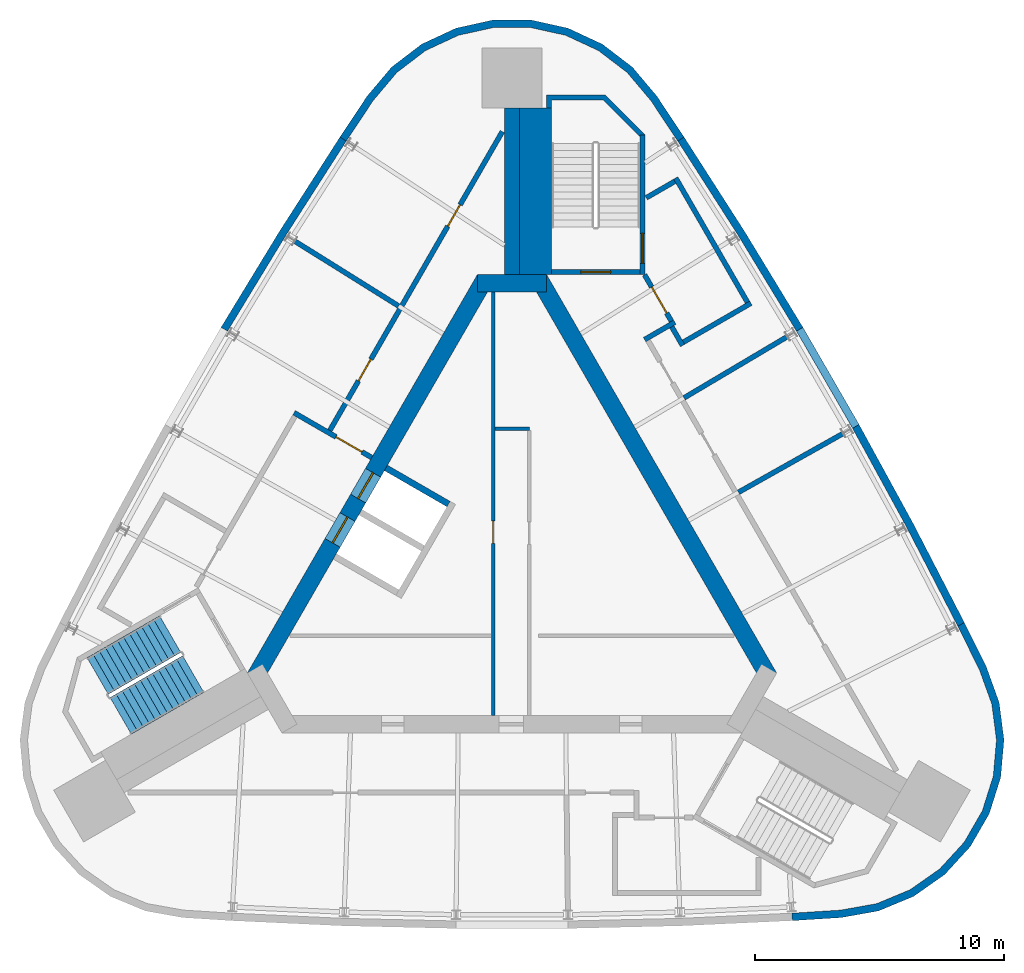
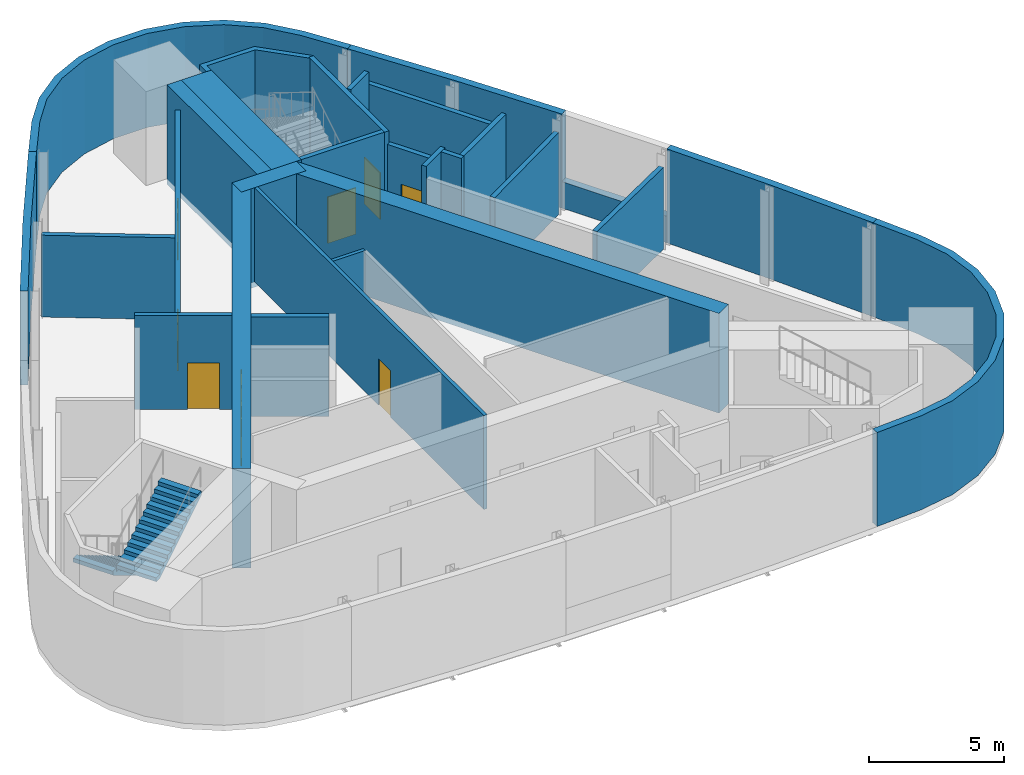
# One storey, part 5 of 7: 28 walls, 9 doors, 2 stair flights, 9 openings, 1 element without a shape of its own.
"""IFC4 building model written with IfcOpenShell, lengths in metres."""

from ifc_helpers import new_model, si_unit, direction, frame, frame_2d, origin, place, context, subcontext, project, spatial, polyline, rectangle, outline, extrude, material, layer, layer_set, type_object, element, fill, aggregate, save


model = new_model("IFC4")

# Units and contexts
model_context = context("Model", 3, precision=1e-05, world=origin(), true_north=direction((0.0, 1.0)))
body_context = subcontext(model_context, "Body", "Model", "MODEL_VIEW")
ifc_project = project(units=[si_unit("LENGTHUNIT", "METRE"), si_unit("AREAUNIT", "SQUARE_METRE"), si_unit("VOLUMEUNIT", "CUBIC_METRE"), si_unit("PLANEANGLEUNIT", "RADIAN"), si_unit("MASSUNIT", "GRAM", prefix="KILO")], contexts=[model_context])

# Site, building, storey
site_placement = place(None, origin())
site = spatial("IfcSite", under=ifc_project, at=site_placement, CompositionType="ELEMENT")
building_placement = place(site_placement, origin())
building = spatial("IfcBuilding", under=site, at=building_placement, Name="Noor Cloister Tower", CompositionType="ELEMENT")
storey_placement = place(building_placement, frame((0.0, 0.0, 302.10009765625)))
storey = spatial("IfcBuildingStorey", under=building, at=storey_placement, Name="L76", CompositionType="ELEMENT", Elevation=302.10009765625)

# Wall
ifc_material_1 = material(Name="Concrete C50/60", Category="concrete")
ifc_layer_1 = layer(ifc_material_1, 0.60009765625)
ifc_layer_set_1 = layer_set([ifc_layer_1], Name="Buttress wall 600 C50/60")
wall_type_1 = type_object("IfcWallType", Name="Buttress wall 600 C50/60", PredefinedType="SHEAR", material=ifc_layer_set_1)
wall_1_placement = place(storey_placement, frame((0.0, 11.456298828125, -0.25), z_axis=(0.0, 0.0, 1.0), x_axis=(0.0, 1.0, 0.0)))
element("IfcWall", 1, at=wall_1_placement, inside=storey, type_object=wall_type_1, Name="Buttress wall N L76", PredefinedType="SHEAR", context=body_context, shape_type="SweptSolid", body=[
    extrude(rectangle(XDim=6.6787109375, YDim=0.60009765625, at=frame_2d((3.33935546875, 0.0))), origin(), (0.0, 0.0, 1.0), 4.5),
])

# Wall, opening, door
ifc_material_2 = material(Name="Concrete C30/37", Category="concrete")
ifc_layer_2 = layer(ifc_material_2, 0.14990234375)
ifc_layer_set_2 = layer_set([ifc_layer_2], Name="Core partition 150 C30/37")
wall_type_2 = type_object("IfcWallType", Name="Core partition 150 C30/37", PredefinedType="PARTITIONING", material=ifc_layer_set_2)
wall_2_placement = place(storey_placement, frame((-0.753662109375, 10.75634765625, 0.0), z_axis=(0.0, 0.0, 1.0), x_axis=(0.0, -1.0, 0.0)))
wall_2 = element("IfcWall", 2, at=wall_2_placement, inside=storey, type_object=wall_type_2, Name="Core room partition L76 2", PredefinedType="PARTITIONING", context=body_context, shape_type="SweptSolid", body=[
    extrude(rectangle(XDim=16.984619140625, YDim=0.14990234375, at=frame_2d((8.4921875, 0.0))), origin(), (0.0, 0.0, 1.0), 4.25),
])
opening_1_placement = place(wall_2_placement, frame((9.1845703125, 0.0, 0.0)))
opening_1 = element("IfcOpeningElement", 3, at=opening_1_placement, cuts=wall_2, Name="Opening L76-904", PredefinedType="OPENING", context=body_context, shape_type="SweptSolid", body=[
    extrude(rectangle(XDim=0.89990234375, YDim=2.10009765625, at=frame_2d((0.449951171875, 1.050048828125))), frame((0.0, 0.0849609375, 0.0), z_axis=(0.0, -1.0, 0.0), x_axis=(1.0, 0.0, 0.0)), (0.0, 0.0, 1.0), 0.169921875),
])
ifc_material_3 = material(Name="Steel", Category="steel")
door_type_1 = type_object("IfcDoorType", Name="Core door 900 x 2100 FD120", OperationType="SINGLE_SWING_LEFT", PredefinedType="DOOR", material=ifc_material_3)
door_1_placement = place(opening_1_placement, origin())
door_1 = element("IfcDoor", 4, at=door_1_placement, inside=storey, type_object=door_type_1, Name="Core door 4 L76", OperationType="SINGLE_SWING_RIGHT", OverallHeight=2.10009765625, OverallWidth=0.89990234375, PredefinedType="DOOR", context=body_context, shape_type="SweptSolid", body=[
    extrude(rectangle(XDim=0.89990234375, YDim=2.10009765625, at=frame_2d((0.449951171875, 1.050048828125))), frame((0.0, 0.02490234375, 0.0), z_axis=(0.0, -1.0, 0.0), x_axis=(1.0, 0.0, 0.0)), (0.0, 0.0, 1.0), 0.050048828125),
])
fill(opening_1, door_1)

# Walls
wall_3_placement = place(storey_placement, frame((-0.6787109375, 5.271728515625, 0.0), z_axis=(0.0, 0.0, 1.0), x_axis=(1.0, 0.0, 0.0)))
element("IfcWall", 5, at=wall_3_placement, inside=storey, type_object=wall_type_2, Name="Core room partition L76 3", PredefinedType="PARTITIONING", context=body_context, shape_type="SweptSolid", body=[
    extrude(rectangle(XDim=1.375, YDim=0.14990234375, at=frame_2d((0.6875, 0.0))), origin(), (0.0, 0.0, 1.0), 4.25),
])
ifc_material_4 = material(Name="Concrete C50/60", Category="concrete")
ifc_layer_3 = layer(ifc_material_4, 0.699951171875)
ifc_layer_set_3 = layer_set([ifc_layer_3], Name="Core wall 700 C50/60")
wall_type_3 = type_object("IfcWallType", Name="Core wall 700 C50/60", PredefinedType="SHEAR", material=ifc_layer_set_3)
wall_4_placement = place(storey_placement, frame((10.311279296875, -4.703125, -0.25), z_axis=(0.0, 0.0, 1.0), x_axis=(-0.500001446645, 0.866024568562, 0.0)))
element("IfcWall", 6, at=wall_4_placement, inside=storey, type_object=wall_type_3, Name="Core wall L76 3", PredefinedType="SHEAR", context=body_context, shape_type="SweptSolid", body=[
    extrude(rectangle(XDim=18.45751953125, YDim=0.699951171875, at=frame_2d((9.228759765625, 0.0))), origin(), (0.0, 0.0, 1.0), 4.5),
])
wall_5_placement = place(storey_placement, frame((1.3857421875, 11.1064453125, -0.25), z_axis=(0.0, 0.0, 1.0), x_axis=(-1.0, 0.0, 0.0)))
element("IfcWall", 7, at=wall_5_placement, inside=storey, type_object=wall_type_3, Name="Core wall L76 4", PredefinedType="SHEAR", context=body_context, shape_type="SweptSolid", body=[
    extrude(rectangle(XDim=2.771484375, YDim=0.699951171875, at=frame_2d((1.3857421875, 0.0))), origin(), (0.0, 0.0, 1.0), 4.5),
])

# Wall, openings, doors
wall_6_placement = place(storey_placement, frame((-1.08251953125, 11.281494140625, -0.25), z_axis=(0.0, 0.0, 1.0), x_axis=(-0.500001446645, -0.866024568562, 0.0)))
wall_6 = element("IfcWall", 8, at=wall_6_placement, inside=storey, type_object=wall_type_3, Name="Core wall L76 5", PredefinedType="SHEAR", context=body_context, shape_type="SweptSolid", body=[
    extrude(rectangle(XDim=18.45751953125, YDim=0.699951171875, at=frame_2d((9.228759765625, 0.0))), origin(), (0.0, 0.0, 1.0), 4.5),
])
opening_2_placement = place(wall_6_placement, frame((8.978759765625, 0.0, 0.25)))
opening_2 = element("IfcOpeningElement", 9, at=opening_2_placement, cuts=wall_6, Name="Opening L76-FF1", PredefinedType="OPENING", context=body_context, shape_type="SweptSolid", body=[
    extrude(rectangle(XDim=1.199951171875, YDim=2.10009765625, at=frame_2d((0.60009765625, 1.050048828125))), frame((0.0, 0.35986328125, 0.0), z_axis=(0.0, -1.0, 0.0), x_axis=(1.0, 0.0, 0.0)), (0.0, 0.0, 1.0), 0.719970703125),
])
opening_3_placement = place(wall_6_placement, frame((11.02880859375, 0.0, 0.25)))
opening_3 = element("IfcOpeningElement", 10, at=opening_3_placement, cuts=wall_6, Name="Opening L76-FF2", PredefinedType="OPENING", context=body_context, shape_type="SweptSolid", body=[
    extrude(rectangle(XDim=1.199951171875, YDim=2.10009765625, at=frame_2d((0.60009765625, 1.050048828125))), frame((0.0, 0.35986328125, 0.0), z_axis=(0.0, -1.0, 0.0), x_axis=(1.0, 0.0, 0.0)), (0.0, 0.0, 1.0), 0.719970703125),
])
ifc_material_5 = material(Name="Stainless steel", Category="steel")
door_type_2 = type_object("IfcDoorType", Name="Lift landing door 1200 x 2100", OperationType="DOUBLE_DOOR_SLIDING", PredefinedType="DOOR", material=ifc_material_5)
door_2_placement = place(opening_2_placement, origin())
door_2 = element("IfcDoor", 11, at=door_2_placement, inside=storey, type_object=door_type_2, Name="Landing door FF1 L76", OperationType="DOUBLE_DOOR_SLIDING", OverallHeight=2.10009765625, OverallWidth=1.199951171875, PredefinedType="DOOR", context=body_context, shape_type="SweptSolid", body=[
    extrude(rectangle(XDim=1.199951171875, YDim=2.10009765625, at=frame_2d((0.60009765625, 1.050048828125))), frame((0.0, 0.02490234375, 0.0), z_axis=(0.0, -1.0, 0.0), x_axis=(1.0, 0.0, 0.0)), (0.0, 0.0, 1.0), 0.050048828125),
])
fill(opening_2, door_2)
door_3_placement = place(opening_3_placement, origin())
door_3 = element("IfcDoor", 12, at=door_3_placement, inside=storey, type_object=door_type_2, Name="Landing door FF2 L76", OperationType="DOUBLE_DOOR_SLIDING", OverallHeight=2.10009765625, OverallWidth=1.199951171875, PredefinedType="DOOR", context=body_context, shape_type="SweptSolid", body=[
    extrude(rectangle(XDim=1.199951171875, YDim=2.10009765625, at=frame_2d((0.60009765625, 1.050048828125))), frame((0.0, 0.02490234375, 0.0), z_axis=(0.0, -1.0, 0.0), x_axis=(1.0, 0.0, 0.0)), (0.0, 0.0, 1.0), 0.050048828125),
])
fill(opening_3, door_3)

# Walls
ifc_material_6 = material(Name="Limestone", Category="masonry")
ifc_layer_4 = layer(ifc_material_6, 0.300048828125)
ifc_layer_set_4 = layer_set([ifc_layer_4], Name="Limestone cladding 300")
wall_type_4 = type_object("IfcWallType", Name="Limestone cladding 300", PredefinedType="NOTDEFINED", material=ifc_layer_set_4)
wall_7_placement = place(storey_placement, origin())
element("IfcWall", 13, at=wall_7_placement, inside=storey, type_object=wall_type_4, Name="Limestone pier cladding L76 2.1", PredefinedType="NOTDEFINED", context=body_context, shape_type="SweptSolid", body=[
    extrude(outline(polyline([(11.24365234375, -14.46044921875), (13.21142578125, -14.336181640625), (14.707763671875, -14.068603515625), (16.11083984375, -13.484619140625), (17.35498046875, -12.611083984375), (18.381103515625, -11.489990234375), (19.14111328125, -10.173583984375), (19.59912109375, -8.724365234375), (19.7333984375, -7.210205078125), (19.53759765625, -5.702880859375), (19.021240234375, -4.2734375), (18.14501953125, -2.507080078125), (17.876220703125, -2.640380859375), (18.744873046875, -4.391357421875), (19.244384765625, -5.77392578125), (19.431640625, -7.21630859375), (19.30322265625, -8.6650390625), (18.864990234375, -10.052001953125), (18.1376953125, -11.3115234375), (17.15576171875, -12.384521484375), (15.96533203125, -13.22021484375), (14.62255859375, -13.779052734375), (13.175537109375, -14.037841796875), (11.224853515625, -14.1611328125), (11.24365234375, -14.46044921875)])), origin(), (0.0, 0.0, 1.0), 4.25),
])
wall_8_placement = place(storey_placement, origin())
element("IfcWall", 14, at=wall_8_placement, inside=storey, type_object=wall_type_4, Name="Limestone pier cladding L76 3.1", PredefinedType="NOTDEFINED", context=body_context, shape_type="SweptSolid", body=[
    extrude(outline(polyline([(6.9013671875, 16.967529296875), (5.809814453125, 18.609619140625), (4.830078125, 19.771484375), (3.62255859375, 20.69482421875), (2.244140625, 21.33544921875), (0.760009765625, 21.66357421875), (-0.760009765625, 21.66357421875), (-2.244140625, 21.33544921875), (-3.62255859375, 20.69482421875), (-4.830078125, 19.771484375), (-5.809814453125, 18.609619140625), (-6.9013671875, 16.967529296875), (-6.6513671875, 16.801513671875), (-5.5693359375, 18.42919921875), (-4.621826171875, 19.55322265625), (-3.46630859375, 20.4365234375), (-2.1474609375, 21.049560546875), (-0.727294921875, 21.363525390625), (0.727294921875, 21.363525390625), (2.1474609375, 21.049560546875), (3.46630859375, 20.4365234375), (4.621826171875, 19.55322265625), (5.5693359375, 18.42919921875), (6.6513671875, 16.801513671875), (6.9013671875, 16.967529296875)])), origin(), (0.0, 0.0, 1.0), 4.25),
])
ifc_material_7 = material(Name="Limestone", Category="masonry")
ifc_layer_5 = layer(ifc_material_7, 0.300048828125)
ifc_layer_set_5 = layer_set([ifc_layer_5], Name="Limestone panel wall 300")
wall_type_5 = type_object("IfcWallType", Name="Limestone panel wall 300", PredefinedType="NOTDEFINED", material=ifc_layer_set_5)
wall_9_placement = place(storey_placement, origin())
element("IfcWall", 15, at=wall_9_placement, inside=storey, type_object=wall_type_5, Name="Limestone crown wall L76 1a", PredefinedType="NOTDEFINED", context=body_context, shape_type="SweptSolid", body=[
    extrude(outline(polyline([(-6.9013671875, 16.967529296875), (-9.32958984375, 13.178955078125), (-11.669189453125, 9.335205078125), (-11.4130859375, 9.17919921875), (-9.074951171875, 13.02001953125), (-6.648681640625, 16.8056640625), (-6.9013671875, 16.967529296875)])), origin(), (0.0, 0.0, 1.0), 4.25),
])
wall_10_placement = place(storey_placement, origin())
element("IfcWall", 16, at=wall_10_placement, inside=storey, type_object=wall_type_5, Name="Limestone crown wall L76 3a", PredefinedType="NOTDEFINED", context=body_context, shape_type="SweptSolid", body=[
    extrude(outline(polyline([(18.14501953125, -2.507080078125), (16.078125, 1.489990234375), (13.919189453125, 5.438232421875), (13.656005859375, 5.294189453125), (15.813232421875, 1.34912109375), (17.87841796875, -2.644775390625), (18.14501953125, -2.507080078125)])), origin(), (0.0, 0.0, 1.0), 4.25),
])
wall_11_placement = place(storey_placement, origin())
element("IfcWall", 17, at=wall_11_placement, inside=storey, type_object=wall_type_5, Name="Limestone crown wall L76 3b", PredefinedType="NOTDEFINED", context=body_context, shape_type="SweptSolid", body=[
    extrude(outline(polyline([(11.669189453125, 9.335205078125), (9.32958984375, 13.178955078125), (6.9013671875, 16.967529296875), (6.648681640625, 16.8056640625), (9.074951171875, 13.02001953125), (11.4130859375, 9.17919921875), (11.669189453125, 9.335205078125)])), origin(), (0.0, 0.0, 1.0), 4.25),
])
wall_12_placement = place(storey_placement, origin())
element("IfcWall", 18, at=wall_12_placement, inside=storey, type_object=wall_type_5, Name="Limestone crown wall L76 3 lower", PredefinedType="NOTDEFINED", context=body_context, shape_type="SweptSolid", body=[
    extrude(outline(polyline([(13.919189453125, 5.438232421875), (11.669189453125, 9.335205078125), (11.409423828125, 9.185302734375), (13.659423828125, 5.288330078125), (13.919189453125, 5.438232421875)])), origin(), (0.0, 0.0, 1.0), 1.199951171875),
])
ifc_material_8 = material(Name="Concrete C50/60", Category="concrete")
ifc_layer_6 = layer(ifc_material_8, 0.25)
ifc_layer_set_6 = layer_set([ifc_layer_6], Name="Shaft wall 250 C50/60")
wall_type_6 = type_object("IfcWallType", Name="Shaft wall 250 C50/60", PredefinedType="PARTITIONING", material=ifc_layer_set_6)
wall_13_placement = place(storey_placement, frame((-5.056396484375, 3.69873046875, -0.25), z_axis=(0.0, 0.0, 1.0), x_axis=(0.866032775405, -0.499987231761, 0.0)))
element("IfcWall", 19, at=wall_13_placement, inside=storey, type_object=wall_type_6, Name="Lift shaft wall L76 NW 3", PredefinedType="PARTITIONING", context=body_context, shape_type="SweptSolid", body=[
    extrude(rectangle(XDim=2.89990234375, YDim=0.25, at=frame_2d((1.449951171875, 0.0))), origin(), (0.0, 0.0, 1.0), 4.5),
])
ifc_material_9 = material(Name="Concrete C50/60", Category="concrete")
ifc_layer_7 = layer(ifc_material_9, 1.285888671875)
ifc_layer_set_7 = layer_set([ifc_layer_7], Name="Stair enclosure wall 1286 C50/60")
wall_type_7 = type_object("IfcWallType", Name="Stair enclosure wall 1286 C50/60", PredefinedType="SHEAR", material=ifc_layer_set_7)
wall_14_placement = place(storey_placement, frame((0.94287109375, 11.456298828125, -0.25), z_axis=(0.0, 0.0, 1.0), x_axis=(0.0, 1.0, 0.0)))
element("IfcWall", 20, at=wall_14_placement, inside=storey, type_object=wall_type_7, Name="Stair enclosure wall ST1 L76 riser side", PredefinedType="SHEAR", context=body_context, shape_type="SweptSolid", body=[
    extrude(rectangle(XDim=6.6787109375, YDim=1.28564453125, at=frame_2d((3.33935546875, 0.0))), origin(), (0.0, 0.0, 1.0), 4.5),
])

# Wall, opening, door
ifc_material_10 = material(Name="Concrete C50/60", Category="concrete")
ifc_layer_8 = layer(ifc_material_10, 0.199951171875)
ifc_layer_set_8 = layer_set([ifc_layer_8], Name="Stair enclosure wall 200 C50/60")
wall_type_8 = type_object("IfcWallType", Name="Stair enclosure wall 200 C50/60", PredefinedType="SHEAR", material=ifc_layer_set_8)
wall_15_placement = place(storey_placement, frame((5.135498046875, 11.556396484375, -0.25), z_axis=(0.0, 0.0, 1.0), x_axis=(-1.0, 0.0, 0.0)))
wall_15 = element("IfcWall", 21, at=wall_15_placement, inside=storey, type_object=wall_type_8, Name="Stair enclosure wall ST1 L76 near end", PredefinedType="SHEAR", context=body_context, shape_type="SweptSolid", body=[
    extrude(rectangle(XDim=3.5498046875, YDim=0.199951171875, at=frame_2d((1.77490234375, 0.0))), origin(), (0.0, 0.0, 1.0), 4.5),
])
opening_4_placement = place(wall_15_placement, frame((1.175048828125, 0.0, 0.25)))
opening_4 = element("IfcOpeningElement", 22, at=opening_4_placement, cuts=wall_15, Name="Opening L76-ST1L", PredefinedType="OPENING", context=body_context, shape_type="SweptSolid", body=[
    extrude(rectangle(XDim=1.199951171875, YDim=2.10009765625, at=frame_2d((0.60009765625, 1.050048828125))), frame((0.0, 0.10986328125, 0.0), z_axis=(0.0, -1.0, 0.0), x_axis=(1.0, 0.0, 0.0)), (0.0, 0.0, 1.0), 0.219970703125),
])
ifc_material_11 = material(Name="Steel", Category="steel")
door_type_3 = type_object("IfcDoorType", Name="Stair door 1200 x 2100 FD120", OperationType="SINGLE_SWING_LEFT", PredefinedType="DOOR", material=ifc_material_11)
door_4_placement = place(opening_4_placement, origin())
door_4 = element("IfcDoor", 23, at=door_4_placement, inside=storey, type_object=door_type_3, Name="Stair door ST1 L76", OperationType="SINGLE_SWING_RIGHT", OverallHeight=2.10009765625, OverallWidth=1.199951171875, PredefinedType="DOOR", context=body_context, shape_type="SweptSolid", body=[
    extrude(rectangle(XDim=1.199951171875, YDim=2.10009765625, at=frame_2d((0.60009765625, 1.050048828125))), frame((0.0, 0.02490234375, 0.0), z_axis=(0.0, -1.0, 0.0), x_axis=(1.0, 0.0, 0.0)), (0.0, 0.0, 1.0), 0.050048828125),
])
fill(opening_4, door_4)

wall_16_placement = place(storey_placement, frame((5.235595703125, 11.456298828125, -0.25), z_axis=(0.0, 0.0, 1.0), x_axis=(0.0, 1.0, 0.0)))
wall_16 = element("IfcWall", 24, at=wall_16_placement, inside=storey, type_object=wall_type_8, Name="Stair enclosure wall ST1 L76 outer side", PredefinedType="SHEAR", context=body_context, shape_type="SweptSolid", body=[
    extrude(rectangle(XDim=5.60009765625, YDim=0.199951171875, at=frame_2d((2.800048828125, 0.0))), origin(), (0.0, 0.0, 1.0), 4.5),
])
opening_5_placement = place(wall_16_placement, frame((0.449951171875, 0.0, 0.25)))
opening_5 = element("IfcOpeningElement", 25, at=opening_5_placement, cuts=wall_16, Name="Opening L76-ST1C", PredefinedType="OPENING", context=body_context, shape_type="SweptSolid", body=[
    extrude(rectangle(XDim=1.199951171875, YDim=2.10009765625, at=frame_2d((0.60009765625, 1.050048828125))), frame((0.0, 0.10986328125, 0.0), z_axis=(0.0, -1.0, 0.0), x_axis=(1.0, 0.0, 0.0)), (0.0, 0.0, 1.0), 0.219970703125),
])
door_5_placement = place(opening_5_placement, origin())
door_5 = element("IfcDoor", 26, at=door_5_placement, inside=storey, type_object=door_type_3, Name="Stair door ST1 L76", OperationType="SINGLE_SWING_LEFT", OverallHeight=2.10009765625, OverallWidth=1.199951171875, PredefinedType="DOOR", context=body_context, shape_type="SweptSolid", body=[
    extrude(rectangle(XDim=1.199951171875, YDim=2.10009765625, at=frame_2d((0.60009765625, 1.050048828125))), frame((0.0, 0.02490234375, 0.0), z_axis=(0.0, -1.0, 0.0), x_axis=(1.0, 0.0, 0.0)), (0.0, 0.0, 1.0), 0.050048828125),
])
fill(opening_5, door_5)

# Wall
ifc_material_12 = material(Name="Concrete C50/60", Category="concrete")
wall_type_9 = type_object("IfcWallType", Name="Stair far end wall C50/60", PredefinedType="SHEAR", material=ifc_material_12)
wall_17_placement = place(storey_placement, frame((0.0, 0.0, -0.25)))
element("IfcWall", 27, at=wall_17_placement, inside=storey, type_object=wall_type_9, Name="Stair enclosure wall ST1 L76 far end", PredefinedType="SHEAR", context=body_context, shape_type="SweptSolid", body=[
    extrude(outline(polyline([(5.335693359375, 17.056396484375), (3.735595703125, 18.656494140625), (1.385498046875, 18.656494140625), (1.385498046875, 18.135009765625), (1.585693359375, 18.135009765625), (1.585693359375, 18.456298828125), (3.65283203125, 18.456298828125), (5.135498046875, 16.9736328125), (5.135498046875, 17.056396484375), (5.135498046875, 17.056396484375), (5.135498046875, 17.056396484375), (5.135498046875, 17.056396484375), (5.135498046875, 17.056396484375), (5.135498046875, 17.056396484375), (5.135498046875, 17.056396484375), (5.135498046875, 17.056396484375), (5.135498046875, 17.056396484375), (5.135498046875, 17.056396484375), (5.135498046875, 17.056396484375), (5.135498046875, 17.056396484375), (5.135498046875, 17.056396484375), (5.135498046875, 17.056396484375), (5.135498046875, 17.056396484375), (5.135498046875, 17.056396484375), (5.135498046875, 17.056396484375), (5.335693359375, 17.056396484375)])), origin(), (0.0, 0.0, 1.0), 4.5),
])

# Wall, opening, door
ifc_material_13 = material(Name="Concrete block wall, 200 mm", Category="concrete")
ifc_layer_9 = layer(ifc_material_13, 0.199951171875)
ifc_layer_set_9 = layer_set([ifc_layer_9], Name="Upper floor plant room wall 200")
wall_type_10 = type_object("IfcWallType", Name="Upper floor plant room wall 200", PredefinedType="PARTITIONING", material=ifc_layer_set_9)
wall_18_placement = place(storey_placement, frame((-8.740966796875, 5.91259765625, 0.0), z_axis=(0.0, 0.0, 1.0), x_axis=(0.866017220491, -0.500014173611, 0.0)))
wall_18 = element("IfcWall", 28, at=wall_18_placement, inside=storey, type_object=wall_type_10, Name="Upper floor plant room wall 200 L76 001", PredefinedType="PARTITIONING", context=body_context, shape_type="SweptSolid", body=[
    extrude(rectangle(XDim=3.59814453125, YDim=0.199951171875, at=frame_2d((1.799072265625, 0.0))), origin(), (0.0, 0.0, 1.0), 4.25),
])
opening_6_placement = place(wall_18_placement, frame((1.947509765625, 0.0, 0.0)))
opening_6 = element("IfcOpeningElement", 29, at=opening_6_placement, cuts=wall_18, Name="Opening L76-003", PredefinedType="OPENING", context=body_context, shape_type="SweptSolid", body=[
    extrude(rectangle(XDim=1.199951171875, YDim=2.10009765625, at=frame_2d((0.60009765625, 1.050048828125))), frame((0.0, 0.10986328125, 0.0), z_axis=(0.0, -1.0, 0.0), x_axis=(1.0, 0.0, 0.0)), (0.0, 0.0, 1.0), 0.219970703125),
])
ifc_material_14 = material(Name="Timber door leaf with steel frame", Category="steel")
door_type_4 = type_object("IfcDoorType", Name="Firefighting lobby door 1200", OperationType="NOTDEFINED", PredefinedType="DOOR", material=ifc_material_14)
door_6_placement = place(opening_6_placement, origin())
door_6 = element("IfcDoor", 30, at=door_6_placement, inside=storey, type_object=door_type_4, Name="Firefighting lobby door 1200 L76-003", OperationType="SINGLE_SWING_RIGHT", OverallHeight=2.10009765625, OverallWidth=1.199951171875, PredefinedType="DOOR", context=body_context, shape_type="SweptSolid", body=[
    extrude(rectangle(XDim=1.199951171875, YDim=2.10009765625, at=frame_2d((0.60009765625, 1.050048828125))), frame((0.0, 0.02490234375, 0.0), z_axis=(0.0, -1.0, 0.0), x_axis=(1.0, 0.0, 0.0)), (0.0, 0.0, 1.0), 0.050048828125),
])
fill(opening_6, door_6)

# Wall, openings, doors
wall_19_placement = place(storey_placement, frame((-7.30712890625, 5.2001953125, 0.0), z_axis=(0.0, 0.0, 1.0), x_axis=(0.49999780173, 0.866026672953, 0.0)))
wall_19 = element("IfcWall", 31, at=wall_19_placement, inside=storey, type_object=wall_type_10, Name="Upper floor plant room wall 200 L76 004", PredefinedType="PARTITIONING", context=body_context, shape_type="SweptSolid", body=[
    extrude(rectangle(XDim=13.8408203125, YDim=0.199951171875, at=frame_2d((6.92041015625, 0.0))), origin(), (0.0, 0.0, 1.0), 3.701904296875),
])
opening_7_placement = place(wall_19_placement, frame((9.45654296875, 0.0, 0.0)))
opening_7 = element("IfcOpeningElement", 32, at=opening_7_placement, cuts=wall_19, Name="Opening L76-001", PredefinedType="OPENING", context=body_context, shape_type="SweptSolid", body=[
    extrude(rectangle(XDim=1.0, YDim=2.10009765625, at=frame_2d((0.5, 1.050048828125))), frame((0.0, 0.10986328125, 0.0), z_axis=(0.0, -1.0, 0.0), x_axis=(1.0, 0.0, 0.0)), (0.0, 0.0, 1.0), 0.219970703125),
])
opening_8_placement = place(wall_19_placement, frame((2.29931640625, 0.0, 0.0)))
opening_8 = element("IfcOpeningElement", 33, at=opening_8_placement, cuts=wall_19, Name="Opening L76-002", PredefinedType="OPENING", context=body_context, shape_type="SweptSolid", body=[
    extrude(rectangle(XDim=1.0, YDim=2.10009765625, at=frame_2d((0.5, 1.050048828125))), frame((0.0, 0.10986328125, 0.0), z_axis=(0.0, -1.0, 0.0), x_axis=(1.0, 0.0, 0.0)), (0.0, 0.0, 1.0), 0.219970703125),
])
ifc_material_15 = material(Name="Timber door leaf with steel frame", Category="steel")
door_type_5 = type_object("IfcDoorType", Name="Plant room door 1000", OperationType="NOTDEFINED", PredefinedType="DOOR", material=ifc_material_15)
door_7_placement = place(opening_7_placement, origin())
door_7 = element("IfcDoor", 34, at=door_7_placement, inside=storey, type_object=door_type_5, Name="Plant room door 1000 L76-001", OperationType="SINGLE_SWING_RIGHT", OverallHeight=2.10009765625, OverallWidth=1.0, PredefinedType="DOOR", context=body_context, shape_type="SweptSolid", body=[
    extrude(rectangle(XDim=1.0, YDim=2.10009765625, at=frame_2d((0.5, 1.050048828125))), frame((0.0, 0.02490234375, 0.0), z_axis=(0.0, -1.0, 0.0), x_axis=(1.0, 0.0, 0.0)), (0.0, 0.0, 1.0), 0.050048828125),
])
fill(opening_7, door_7)
door_8_placement = place(opening_8_placement, origin())
door_8 = element("IfcDoor", 35, at=door_8_placement, inside=storey, type_object=door_type_5, Name="Plant room door 1000 L76-002", OperationType="SINGLE_SWING_LEFT", OverallHeight=2.10009765625, OverallWidth=1.0, PredefinedType="DOOR", context=body_context, shape_type="SweptSolid", body=[
    extrude(rectangle(XDim=1.0, YDim=2.10009765625, at=frame_2d((0.5, 1.050048828125))), frame((0.0, 0.02490234375, 0.0), z_axis=(0.0, -1.0, 0.0), x_axis=(1.0, 0.0, 0.0)), (0.0, 0.0, 1.0), 0.050048828125),
])
fill(opening_8, door_8)

# Walls
wall_20_placement = place(storey_placement, frame((-8.735595703125, 12.80810546875, 0.0), z_axis=(0.0, 0.0, 1.0), x_axis=(0.848106554737, -0.529825699463, 0.0)))
element("IfcWall", 36, at=wall_20_placement, inside=storey, type_object=wall_type_10, Name="Upper floor plant room wall 200 L76 005", PredefinedType="PARTITIONING", context=body_context, shape_type="SweptSolid", body=[
    extrude(rectangle(XDim=4.940673828125, YDim=0.199951171875, at=frame_2d((2.47021484375, 0.0))), origin(), (0.0, 0.0, 1.0), 3.701904296875),
])
wall_21_placement = place(storey_placement, frame((6.407958984375, 9.357666015625, 0.0), z_axis=(0.0, 0.0, 1.0), x_axis=(0.499958279983, -0.866049489508, 0.0)))
element("IfcWall", 37, at=wall_21_placement, inside=storey, type_object=wall_type_10, Name="Upper floor plant room wall 200 L76 016", PredefinedType="PARTITIONING", context=body_context, shape_type="SweptSolid", body=[
    extrude(rectangle(XDim=0.8662109375, YDim=0.199951171875, at=frame_2d((0.43310546875, 0.0))), origin(), (0.0, 0.0, 1.0), 4.25),
])
wall_22_placement = place(storey_placement, frame((5.3203125, 8.84521484375, 0.0), z_axis=(0.0, 0.0, 1.0), x_axis=(0.866031452229, 0.49998952364, 0.0)))
element("IfcWall", 38, at=wall_22_placement, inside=storey, type_object=wall_type_10, Name="Upper floor plant room wall 200 L76 017", PredefinedType="PARTITIONING", context=body_context, shape_type="SweptSolid", body=[
    extrude(rectangle(XDim=1.39794921875, YDim=0.199951171875, at=frame_2d((0.698974609375, 0.0))), origin(), (0.0, 0.0, 1.0), 4.25),
])

# Wall, opening, door
wall_23_placement = place(storey_placement, frame((6.39453125, 9.580810546875, 0.0), z_axis=(0.0, 0.0, 1.0), x_axis=(-0.500003735859, 0.866023246874, 0.0)))
wall_23 = element("IfcWall", 39, at=wall_23_placement, inside=storey, type_object=wall_type_10, Name="Upper floor plant room wall 200 L76 018", PredefinedType="PARTITIONING", context=body_context, shape_type="SweptSolid", body=[
    extrude(rectangle(XDim=2.15380859375, YDim=0.199951171875, at=frame_2d((1.076904296875, 0.0))), origin(), (0.0, 0.0, 1.0), 3.701904296875),
])
opening_9_placement = place(wall_23_placement, frame((0.383056640625, 0.0, 0.0)))
opening_9 = element("IfcOpeningElement", 40, at=opening_9_placement, cuts=wall_23, Name="Opening L76-011", PredefinedType="OPENING", context=body_context, shape_type="SweptSolid", body=[
    extrude(rectangle(XDim=1.199951171875, YDim=2.10009765625, at=frame_2d((0.60009765625, 1.050048828125))), frame((0.0, 0.10986328125, 0.0), z_axis=(0.0, -1.0, 0.0), x_axis=(1.0, 0.0, 0.0)), (0.0, 0.0, 1.0), 0.219970703125),
])
ifc_material_16 = material(Name="Timber door leaf with steel frame", Category="steel")
door_type_6 = type_object("IfcDoorType", Name="Protected lobby door 1200", OperationType="NOTDEFINED", PredefinedType="DOOR", material=ifc_material_16)
door_9_placement = place(opening_9_placement, origin())
door_9 = element("IfcDoor", 41, at=door_9_placement, inside=storey, type_object=door_type_6, Name="Protected lobby door 1200 L76-011", OperationType="SINGLE_SWING_LEFT", OverallHeight=2.10009765625, OverallWidth=1.199951171875, PredefinedType="DOOR", context=body_context, shape_type="SweptSolid", body=[
    extrude(rectangle(XDim=1.199951171875, YDim=2.10009765625, at=frame_2d((0.60009765625, 1.050048828125))), frame((0.0, 0.02490234375, 0.0), z_axis=(0.0, -1.0, 0.0), x_axis=(1.0, 0.0, 0.0)), (0.0, 0.0, 1.0), 0.050048828125),
])
fill(opening_9, door_9)

# Walls
wall_24_placement = place(storey_placement, frame((9.085693359375, 2.7216796875, 0.0), z_axis=(0.0, 0.0, 1.0), x_axis=(0.87175044705, 0.489950158759, 0.0)))
element("IfcWall", 42, at=wall_24_placement, inside=storey, type_object=wall_type_10, Name="Upper floor plant room wall 200 L76 020", PredefinedType="PARTITIONING", context=body_context, shape_type="SweptSolid", body=[
    extrude(rectangle(XDim=4.844482421875, YDim=0.199951171875, at=frame_2d((2.42236328125, 0.0))), origin(), (0.0, 0.0, 1.0), 3.701904296875),
])
wall_25_placement = place(storey_placement, frame((6.89990234375, 6.507568359375, 0.0), z_axis=(0.0, 0.0, 1.0), x_axis=(0.860180185222, 0.509990243977, 0.0)))
element("IfcWall", 43, at=wall_25_placement, inside=storey, type_object=wall_type_10, Name="Upper floor plant room wall 200 L76 021", PredefinedType="PARTITIONING", context=body_context, shape_type="SweptSolid", body=[
    extrude(rectangle(XDim=4.8447265625, YDim=0.199951171875, at=frame_2d((2.42236328125, 0.0))), origin(), (0.0, 0.0, 1.0), 3.701904296875),
])
wall_26_placement = place(storey_placement, frame((6.877685546875, 8.743896484375, 0.0), z_axis=(0.0, 0.0, 1.0), x_axis=(0.866025387892, 0.500000027526, 0.0)))
element("IfcWall", 44, at=wall_26_placement, inside=storey, type_object=wall_type_10, Name="Upper floor plant room wall 200 L76 022", PredefinedType="PARTITIONING", context=body_context, shape_type="SweptSolid", body=[
    extrude(rectangle(XDim=3.12158203125, YDim=0.199951171875, at=frame_2d((1.560791015625, 0.0))), origin(), (0.0, 0.0, 1.0), 4.25),
])
wall_27_placement = place(storey_placement, frame((9.444580078125, 10.34130859375, 0.0), z_axis=(0.0, 0.0, 1.0), x_axis=(-0.499996461177, 0.866027446915, 0.0)))
element("IfcWall", 45, at=wall_27_placement, inside=storey, type_object=wall_type_10, Name="Upper floor plant room wall 200 L76 023", PredefinedType="PARTITIONING", context=body_context, shape_type="SweptSolid", body=[
    extrude(rectangle(XDim=5.7587890625, YDim=0.199951171875, at=frame_2d((2.87939453125, 0.0))), origin(), (0.0, 0.0, 1.0), 3.701904296875),
])
wall_28_placement = place(storey_placement, frame((6.528564453125, 15.19189453125, 0.0), z_axis=(0.0, 0.0, 1.0), x_axis=(-0.866117824122, -0.499839889103, 0.0)))
element("IfcWall", 46, at=wall_28_placement, inside=storey, type_object=wall_type_10, Name="Upper floor plant room wall 200 L76 024", PredefinedType="PARTITIONING", context=body_context, shape_type="SweptSolid", body=[
    extrude(rectangle(XDim=1.31982421875, YDim=0.199951171875, at=frame_2d((0.659912109375, 0.0))), origin(), (0.0, 0.0, 1.0), 4.25),
])

# Stair, stair flights
ifc_material_17 = material(Name="Concrete C40/50", Category="concrete")
stair_type = type_object("IfcStairType", Name="Exit stair 26 risers", PredefinedType="HALF_TURN_STAIR", material=ifc_material_17)
stair_placement = place(storey_placement, origin())
stair = element("IfcStair", 47, at=stair_placement, inside=storey, type_object=stair_type, Name="Exit stair ST2 L76", PredefinedType="HALF_TURN_STAIR")
ifc_material_18 = material(Name="Concrete C40/50", Category="concrete")
stair_flight_type = type_object("IfcStairFlightType", Name="Exit stair flight", PredefinedType="STRAIGHT", material=ifc_material_18)
stair_flight_1_placement = place(storey_placement, frame((-13.709716796875, -2.966796875, 0.0), z_axis=(0.0, 0.0, 1.0), x_axis=(-0.866025403784, -0.5, 0.0)))
stair_flight_1 = element("IfcStairFlight", 48, at=stair_flight_1_placement, type_object=stair_flight_type, Name="ST2 flight 1", NumberOfRisers=13, NumberOfTreads=12, PredefinedType="STRAIGHT", RiserHeight=0.173076923, TreadLength=0.28, context=body_context, shape_type="SweptSolid", body=[
    extrude(outline(polyline([(0.0, 0.0), (0.0, 0.173095703125), (0.280029296875, 0.173095703125), (0.280029296875, 0.34619140625), (0.56005859375, 0.34619140625), (0.56005859375, 0.519287109375), (0.840087890625, 0.519287109375), (0.840087890625, 0.6923828125), (1.1201171875, 0.6923828125), (1.1201171875, 0.865478515625), (1.39990234375, 0.865478515625), (1.39990234375, 1.03857421875), (1.679931640625, 1.03857421875), (1.679931640625, 1.21142578125), (1.9599609375, 1.21142578125), (1.9599609375, 1.384521484375), (2.239990234375, 1.384521484375), (2.239990234375, 1.5576171875), (2.52001953125, 1.5576171875), (2.52001953125, 1.730712890625), (2.800048828125, 1.730712890625), (2.800048828125, 1.90380859375), (3.080078125, 1.90380859375), (3.080078125, 2.076904296875), (3.360107421875, 2.076904296875), (3.360107421875, 2.25), (3.360107421875, 1.900634765625), (0.28515625, 0.0), (0.0, 0.0)])), frame((0.0, 0.85009765625, 0.0), z_axis=(0.0, -1.0, 0.0), x_axis=(1.0, 0.0, 0.0)), (0.0, 0.0, 1.0), 1.699951171875),
])
stair_flight_2_placement = place(storey_placement, frame((-15.694580078125, -6.248779296875, 2.25), z_axis=(0.0, 0.0, 1.0), x_axis=(0.866025403784, 0.5, 0.0)))
stair_flight_2 = element("IfcStairFlight", 49, at=stair_flight_2_placement, type_object=stair_flight_type, Name="ST2 flight 2", NumberOfRisers=13, NumberOfTreads=12, PredefinedType="STRAIGHT", RiserHeight=0.173076923, TreadLength=0.28, context=body_context, shape_type="SweptSolid", body=[
    extrude(outline(polyline([(0.0, 0.0), (0.0, 0.173095703125), (0.280029296875, 0.173095703125), (0.280029296875, 0.34619140625), (0.56005859375, 0.34619140625), (0.56005859375, 0.519287109375), (0.840087890625, 0.519287109375), (0.840087890625, 0.6923828125), (1.1201171875, 0.6923828125), (1.1201171875, 0.865478515625), (1.39990234375, 0.865478515625), (1.39990234375, 1.03857421875), (1.679931640625, 1.03857421875), (1.679931640625, 1.21142578125), (1.9599609375, 1.21142578125), (1.9599609375, 1.384521484375), (2.239990234375, 1.384521484375), (2.239990234375, 1.5576171875), (2.52001953125, 1.5576171875), (2.52001953125, 1.730712890625), (2.800048828125, 1.730712890625), (2.800048828125, 1.90380859375), (3.080078125, 1.90380859375), (3.080078125, 2.076904296875), (3.360107421875, 2.076904296875), (3.360107421875, 2.25), (3.360107421875, 1.900634765625), (0.28515625, 0.0), (0.0, 0.0)])), frame((0.0, 0.85009765625, 0.0), z_axis=(0.0, -1.0, 0.0), x_axis=(1.0, 0.0, 0.0)), (0.0, 0.0, 1.0), 1.699951171875),
])
aggregate(stair, [stair_flight_1, stair_flight_2])

save(model, "model.ifc")
